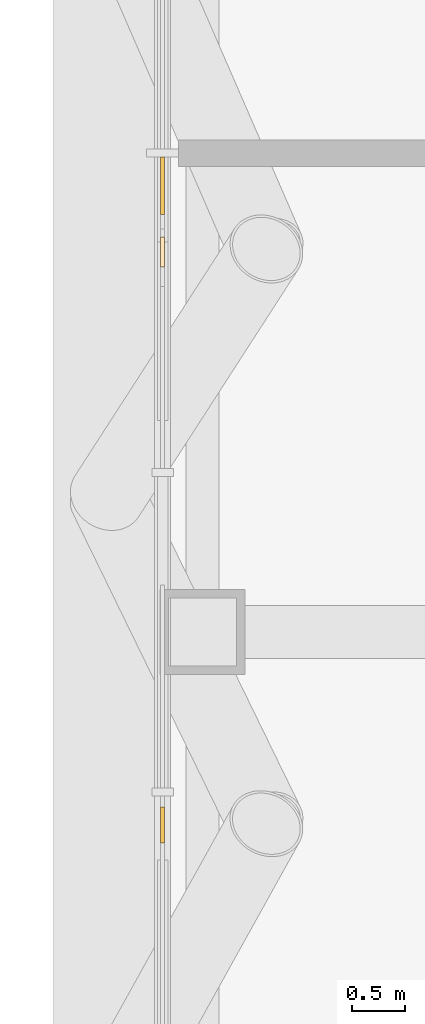
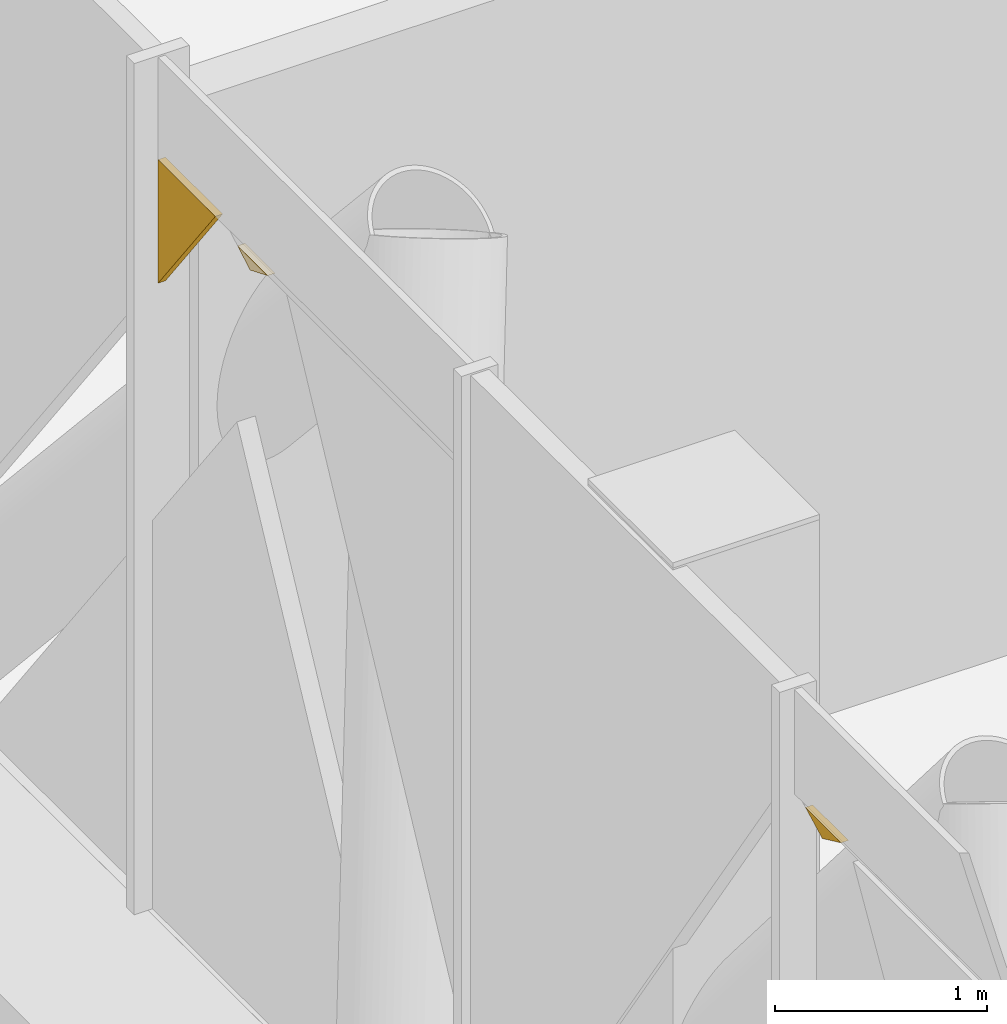
# One storey, part 22 of 27: 3 coverings.
"""IFC4 building model written with IfcOpenShell, lengths in metres."""

from ifc_helpers import new_model, si_unit, direction, frame, origin, place, context, subcontext, project, spatial, polyline, outline, extrude, material, layer, layer_set, type_object, element, save


model = new_model("IFC4")

# Units and contexts
model_context = context("Model", 3, precision=1e-05, world=origin(), true_north=direction((0.0, 1.0)))
body_context = subcontext(model_context, "Body", "Model", "MODEL_VIEW")
ifc_project = project(units=[si_unit("LENGTHUNIT", "METRE"), si_unit("AREAUNIT", "SQUARE_METRE"), si_unit("VOLUMEUNIT", "CUBIC_METRE"), si_unit("PLANEANGLEUNIT", "RADIAN"), si_unit("MASSUNIT", "GRAM", prefix="KILO")], contexts=[model_context])

# Site, building, storey
site_placement = place(None, origin())
site = spatial("IfcSite", under=ifc_project, at=site_placement, CompositionType="ELEMENT")
building_placement = place(site_placement, origin())
building = spatial("IfcBuilding", under=site, at=building_placement, Name="Malebo Sky Hospital", CompositionType="ELEMENT")
storey_placement = place(building_placement, frame((0.0, 0.0, 245.0)))
storey = spatial("IfcBuildingStorey", under=building, at=storey_placement, Name="L59", CompositionType="ELEMENT", Elevation=245.0)

# Coverings
ifc_material = material(Name="Anodised aluminium, natural silver insulated infill panel", Category="aluminium")
ifc_layer = layer(ifc_material, 0.0400390625)
ifc_layer_set = layer_set([ifc_layer], Name="BRACE INFILL PANEL 40")
covering_type = type_object("IfcCoveringType", Name="BRACE INFILL PANEL 40", PredefinedType="CLADDING", material=ifc_layer_set)
covering_1_placement = place(storey_placement, frame((37.425048828125, 64.688720703125, 4.29248046875), z_axis=(0.0, 0.0, 1.0), x_axis=(0.0, 1.0, 0.0)))
element("IfcCovering", 1, at=covering_1_placement, inside=storey, type_object=covering_type, Name="Brace infill panel 7.3", PredefinedType="CLADDING", context=body_context, shape_type="SweptSolid", body=[
    extrude(outline(polyline([(0.009521484375, 0.0), (0.168701171875, 0.082763671875), (-0.168701171875, 0.082763671875), (0.009521484375, 0.0)])), frame((0.0, 0.02001953125, 0.0), z_axis=(0.0, -1.0, 0.0), x_axis=(1.0, 0.0, 0.0)), (0.0, 0.0, 1.0), 0.0400390625),
])
covering_2_placement = place(storey_placement, frame((37.425048828125, 70.692626953125, 3.68994140625), z_axis=(0.0, 0.0, 1.0), x_axis=(0.0, 1.0, 0.0)))
element("IfcCovering", 2, at=covering_2_placement, inside=storey, type_object=covering_type, Name="Brace infill panel 9.2", PredefinedType="CLADDING", context=body_context, shape_type="SweptSolid", body=[
    extrude(outline(polyline([(0.27001953125, 0.0), (0.27001953125, 0.7119140625), (-0.27001953125, 0.7119140625), (0.27001953125, 0.0)])), frame((0.0, 0.02001953125, 0.0), z_axis=(0.0, -1.0, 0.0), x_axis=(1.0, 0.0, 0.0)), (0.0, 0.0, 1.0), 0.0400390625),
])
covering_3_placement = place(storey_placement, frame((37.425048828125, 70.071533203125, 4.2919921875), z_axis=(0.0, 0.0, 1.0), x_axis=(0.0, 1.0, 0.0)))
element("IfcCovering", 3, at=covering_3_placement, inside=storey, type_object=covering_type, Name="Brace infill panel 9.4", PredefinedType="CLADDING", context=body_context, shape_type="SweptSolid", body=[
    extrude(outline(polyline([(0.0234375, 0.0), (0.141845703125, 0.068115234375), (-0.141845703125, 0.068115234375), (0.0234375, 0.0)])), frame((0.0, 0.02001953125, 0.0), z_axis=(0.0, -1.0, 0.0), x_axis=(1.0, 0.0, 0.0)), (0.0, 0.0, 1.0), 0.0400390625),
])

save(model, "model.ifc")
